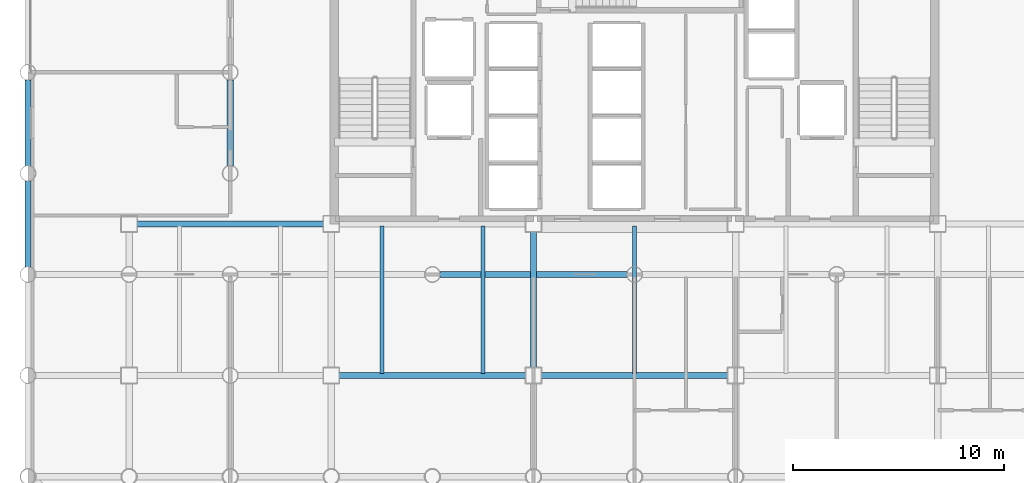
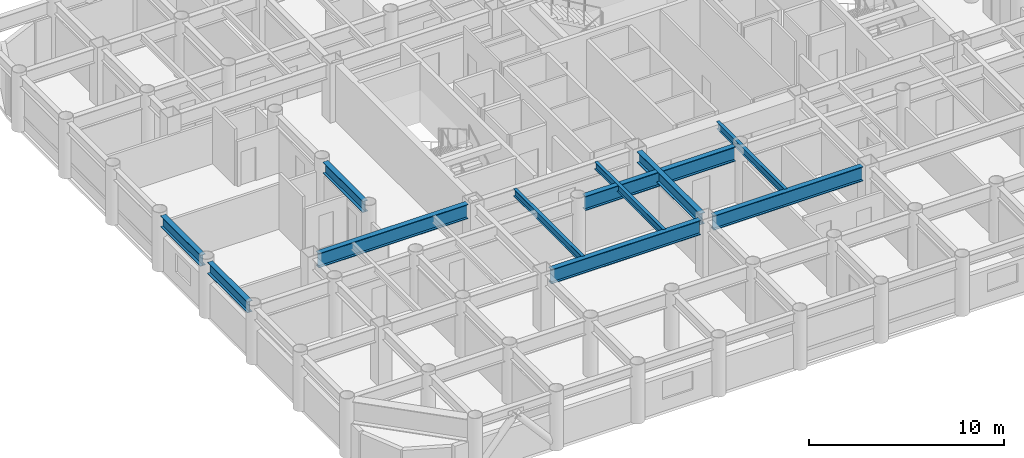
# One storey, part 3 of 20: 11 beams.
"""IFC4 building model written with IfcOpenShell, lengths in metres."""

from ifc_helpers import new_model, si_unit, direction, frame, origin, origin_2d, place, context, subcontext, project, spatial, i_section, extrude, material, material_profile, profile_set, type_object, element, save


model = new_model("IFC4")

# Units and contexts
model_context = context("Model", 3, precision=1e-05, world=origin(), true_north=direction((0.0, 1.0)))
body_context = subcontext(model_context, "Body", "Model", "MODEL_VIEW")
ifc_project = project(units=[si_unit("LENGTHUNIT", "METRE"), si_unit("AREAUNIT", "SQUARE_METRE"), si_unit("VOLUMEUNIT", "CUBIC_METRE"), si_unit("PLANEANGLEUNIT", "RADIAN"), si_unit("MASSUNIT", "GRAM", prefix="KILO")], contexts=[model_context])

# Site, building, storey
site_placement = place(None, origin())
site = spatial("IfcSite", under=ifc_project, at=site_placement, CompositionType="ELEMENT")
building_placement = place(site_placement, origin())
building = spatial("IfcBuilding", under=site, at=building_placement, Name="Kallvorn Hotel Tower", CompositionType="ELEMENT")
storey_placement = place(building_placement, frame((0.0, 0.0, 78.10009765625)))
storey = spatial("IfcBuildingStorey", under=building, at=storey_placement, Name="L18", CompositionType="ELEMENT", Elevation=78.10009765625)

# Beams
ifc_material_1 = material(Name="Structural steel S355JR", Category="steel")
ifc_material_profile_1 = material_profile(ifc_material_1, i_section(OverallWidth=0.300048828125, OverallDepth=0.699951171875, WebThickness=0.01708984375, FlangeThickness=0.031982421875, at=origin_2d()), Name="HE 700 B")
ifc_profile_set_1 = profile_set([ifc_material_profile_1], Name="Structural steel S355JR")
beam_type_1 = type_object("IfcBeamType", Name="BM_HE700B", PredefinedType="BEAM", material=ifc_profile_set_1)
beam_1_placement = place(storey_placement, frame((-28.800048828125, -9.243896484375, 3.169921875), z_axis=(0.0, 1.0, 0.0), x_axis=(-1.0, 0.0, 0.0)))
element("IfcBeam", 1, at=beam_1_placement, inside=storey, type_object=beam_type_1, Name="L19 Primary Y-Girder 75", PredefinedType="BEAM", context=body_context, shape_type="SweptSolid", body=[
    extrude(i_section(OverallWidth=0.300048828125, OverallDepth=0.699951171875, WebThickness=0.01708984375, FlangeThickness=0.031982421875, at=origin_2d()), origin(), (0.0, 0.0, 1.0), 4.087890625),
])
for number, where, z_axis, x_axis, name in (
    (2, (-28.800048828125, -4.444091796875, 3.169921875), (0.0, 1.0, 0.0), (-1.0, 0.0, 0.0), "L19 Primary Y-Girder 76"),
    (3, (-19.199951171875, -4.444091796875, 3.169921875), (0.0, 1.0, 0.0), (-1.0, 0.0, 0.0), "L19 Primary Y-Girder 92"),
):
    element("IfcBeam", number, at=place(storey_placement, frame(where, z_axis=z_axis, x_axis=x_axis)), inside=storey, type_object=beam_type_1, Name=name, PredefinedType="BEAM", context=body_context, shape_type="SweptSolid", body=[
        extrude(i_section(OverallWidth=0.300048828125, OverallDepth=0.699951171875, WebThickness=0.01708984375, FlangeThickness=0.031982421875, at=origin_2d()), origin(), (0.0, 0.0, 1.0), 4.088134765625),
    ])
beam_2_placement = place(storey_placement, frame((-4.800048828125, -14.02490234375, 3.169921875), z_axis=(0.0, 1.0, 0.0), x_axis=(-1.0, 0.0, 0.0)))
element("IfcBeam", 4, at=beam_2_placement, inside=storey, type_object=beam_type_1, Name="L19 Primary Y-Girder 107", PredefinedType="BEAM", context=body_context, shape_type="SweptSolid", body=[
    extrude(i_section(OverallWidth=0.300048828125, OverallDepth=0.699951171875, WebThickness=0.01708984375, FlangeThickness=0.031982421875, at=origin_2d()), origin(), (0.0, 0.0, 1.0), 6.449951171875),
])
ifc_material_2 = material(Name="Structural steel S355JR", Category="steel")
ifc_material_profile_2 = material_profile(ifc_material_2, i_section(OverallWidth=0.300048828125, OverallDepth=0.89990234375, WebThickness=0.0185546875, FlangeThickness=0.034912109375, at=origin_2d()), Name="HE 900 B")
ifc_profile_set_2 = profile_set([ifc_material_profile_2], Name="Structural steel S355JR")
beam_type_2 = type_object("IfcBeamType", Name="BM_HE900B", PredefinedType="BEAM", material=ifc_profile_set_2)
beam_3_placement = place(storey_placement, frame((-14.02490234375, -14.39990234375, 3.06982421875), z_axis=(1.0, 0.0, 0.0), x_axis=(0.0, 1.0, 0.0)))
element("IfcBeam", 5, at=beam_3_placement, inside=storey, type_object=beam_type_2, Name="L19 Primary X-Girder 17", PredefinedType="BEAM", context=body_context, shape_type="SweptSolid", body=[
    extrude(i_section(OverallWidth=0.300048828125, OverallDepth=0.89990234375, WebThickness=0.0185546875, FlangeThickness=0.034912109375, at=origin_2d()), origin(), (0.0, 0.0, 1.0), 8.849853515625),
])
beam_4_placement = place(storey_placement, frame((-4.425048828125, -14.39990234375, 3.06982421875), z_axis=(1.0, 0.0, 0.0), x_axis=(0.0, 1.0, 0.0)))
element("IfcBeam", 6, at=beam_4_placement, inside=storey, type_object=beam_type_2, Name="L19 Primary X-Girder 18", PredefinedType="BEAM", context=body_context, shape_type="SweptSolid", body=[
    extrude(i_section(OverallWidth=0.300048828125, OverallDepth=0.89990234375, WebThickness=0.0185546875, FlangeThickness=0.034912109375, at=origin_2d()), origin(), (0.0, 0.0, 1.0), 8.85009765625),
])
beam_5_placement = place(storey_placement, frame((-9.243896484375, -9.60009765625, 3.06982421875), z_axis=(1.0, 0.0, 0.0), x_axis=(0.0, 1.0, 0.0)))
element("IfcBeam", 7, at=beam_5_placement, inside=storey, type_object=beam_type_2, Name="L19 Primary X-Girder 27", PredefinedType="BEAM", context=body_context, shape_type="SweptSolid", body=[
    extrude(i_section(OverallWidth=0.300048828125, OverallDepth=0.89990234375, WebThickness=0.0185546875, FlangeThickness=0.034912109375, at=origin_2d()), origin(), (0.0, 0.0, 1.0), 8.887939453125),
])
beam_6_placement = place(storey_placement, frame((-23.625, -7.199951171875, 3.06982421875), z_axis=(1.0, 0.0, 0.0), x_axis=(0.0, 1.0, 0.0)))
element("IfcBeam", 8, at=beam_6_placement, inside=storey, type_object=beam_type_2, Name="L19 Primary X-Girder 33", PredefinedType="BEAM", context=body_context, shape_type="SweptSolid", body=[
    extrude(i_section(OverallWidth=0.300048828125, OverallDepth=0.89990234375, WebThickness=0.0185546875, FlangeThickness=0.034912109375, at=origin_2d()), origin(), (0.0, 0.0, 1.0), 8.85009765625),
])
ifc_material_3 = material(Name="Structural steel S355JR", Category="steel")
ifc_material_profile_3 = material_profile(ifc_material_3, i_section(OverallWidth=0.18994140625, OverallDepth=0.449951171875, WebThickness=0.009521484375, FlangeThickness=0.0146484375, at=origin_2d()), Name="IPE 450")
ifc_profile_set_3 = profile_set([ifc_material_profile_3], Name="Structural steel S355JR")
beam_type_3 = type_object("IfcBeamType", Name="BM_IPE450", PredefinedType="JOIST", material=ifc_profile_set_3)
for number, where, z_axis, x_axis, name in (
    (9, (-12.0, -14.300048828125, 3.294921875), (0.0, 1.0, 0.0), (-1.0, 0.0, 0.0), "L19 Secondary Composite Joist 196"),
    (10, (-7.199951171875, -14.300048828125, 3.294921875), (0.0, 1.0, 0.0), (-1.0, 0.0, 0.0), "L19 Secondary Composite Joist 198"),
    (11, (0.0, -14.300048828125, 3.294921875), (0.0, 1.0, 0.0), (-1.0, 0.0, 0.0), "L19 Secondary Composite Joist 200"),
):
    element("IfcBeam", number, at=place(storey_placement, frame(where, z_axis=z_axis, x_axis=x_axis)), inside=storey, type_object=beam_type_3, Name=name, PredefinedType="JOIST", context=body_context, shape_type="SweptSolid", body=[
        extrude(i_section(OverallWidth=0.18994140625, OverallDepth=0.449951171875, WebThickness=0.009521484375, FlangeThickness=0.0146484375, at=origin_2d()), origin(), (0.0, 0.0, 1.0), 7.0),
    ])

save(model, "model.ifc")
